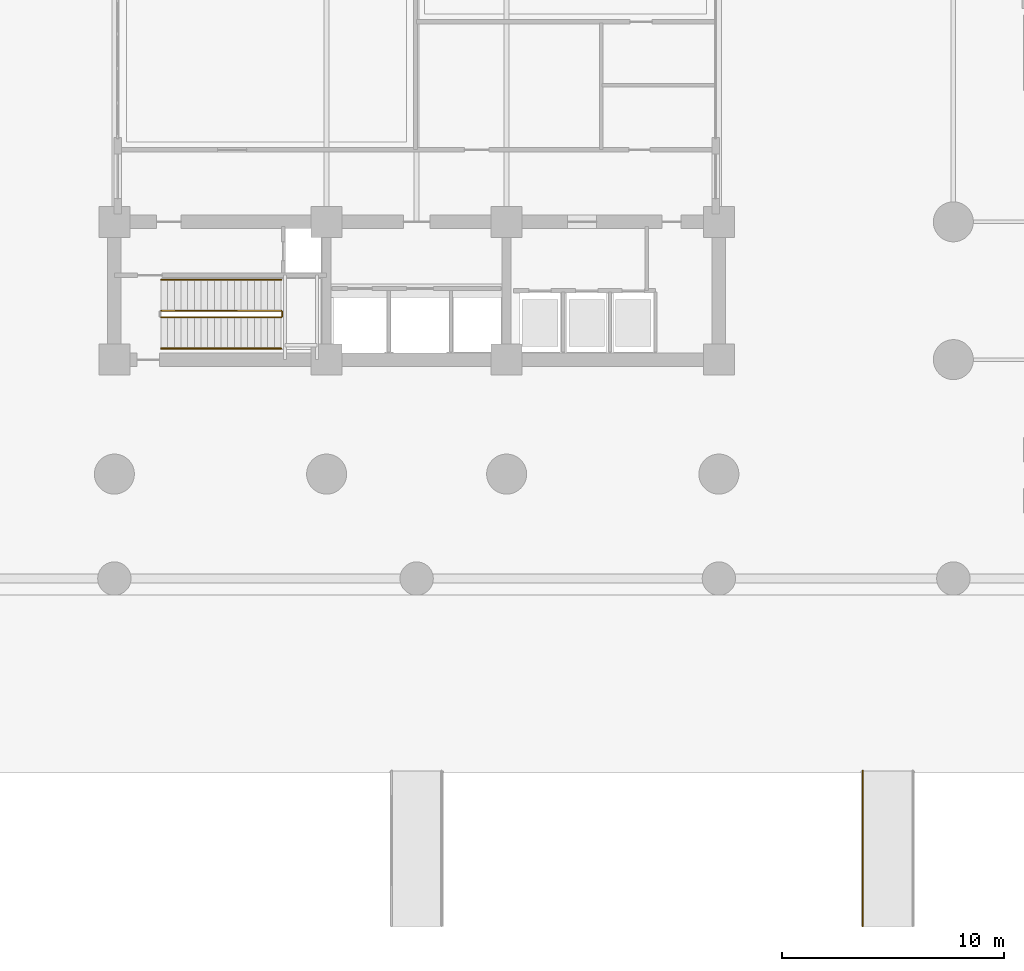
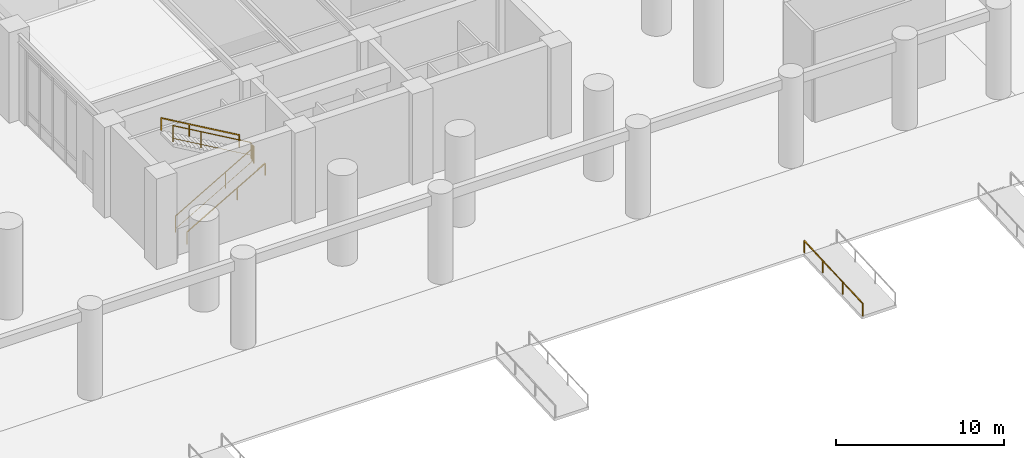
# One storey, part 12 of 16: 6 railings.
"""IFC4 building model written with IfcOpenShell, lengths in metres."""

from ifc_helpers import new_model, si_unit, direction, frame, origin, origin_2d, place, context, subcontext, project, spatial, rectangle, extrude, material, type_object, element, save


model = new_model("IFC4")

# Units and contexts
model_context = context("Model", 3, precision=1e-05, world=origin(), true_north=direction((0.0, 1.0)))
body_context = subcontext(model_context, "Body", "Model", "MODEL_VIEW")
ifc_project = project(units=[si_unit("LENGTHUNIT", "METRE"), si_unit("AREAUNIT", "SQUARE_METRE"), si_unit("VOLUMEUNIT", "CUBIC_METRE"), si_unit("PLANEANGLEUNIT", "RADIAN"), si_unit("MASSUNIT", "GRAM", prefix="KILO")], contexts=[model_context])

# Site, building, storey
site_placement = place(None, origin())
site = spatial("IfcSite", under=ifc_project, at=site_placement, CompositionType="ELEMENT")
building_placement = place(site_placement, origin())
building = spatial("IfcBuilding", under=site, at=building_placement, Name="Svetorya Sky Lyceum", CompositionType="ELEMENT")
storey_placement = place(building_placement, origin())
storey = spatial("IfcBuildingStorey", under=building, at=storey_placement, Name="L00", CompositionType="ELEMENT", Elevation=0.0)

# Railings
ifc_material_1 = material(Name="Brushed stainless AISI 304")
railing_type_1 = type_object("IfcRailingType", Name="RL-PED-900", PredefinedType="HANDRAIL", material=ifc_material_1)
railing_1_placement = place(storey_placement, frame((59.280029296875, -14.89990234375, -0.35009765625)))
element("IfcRailing", 1, at=railing_1_placement, inside=storey, type_object=railing_type_1, Name="Approach Ramp PR-4 Handrail W", PredefinedType="HANDRAIL", context=body_context, shape_type="SweptSolid", body=[
    extrude(rectangle(XDim=0.048095703125, YDim=0.048095703125, at=origin_2d()), frame((0.0, 0.0, 0.8759765625), z_axis=(0.0, 0.998751643845, 0.049951515669), x_axis=(-1.0, 0.0, 0.0)), (0.0, 0.0, 1.0), 7.0087890625),
    extrude(rectangle(XDim=0.0419921875, YDim=0.0419921875, at=origin_2d()), origin(), (0.0, 0.0, 1.0), 0.851806640625),
    extrude(rectangle(XDim=0.0419921875, YDim=0.0419921875, at=origin_2d()), frame((0.0, 2.39697265625, 0.119873046875)), (0.0, 0.0, 1.0), 0.851806640625),
    extrude(rectangle(XDim=0.0419921875, YDim=0.0419921875, at=origin_2d()), frame((0.0, 4.7939453125, 0.23974609375)), (0.0, 0.0, 1.0), 0.851806640625),
    extrude(rectangle(XDim=0.0419921875, YDim=0.0419921875, at=origin_2d()), frame((0.0, 7.0, 0.35009765625)), (0.0, 0.0, 1.0), 0.851806640625),
])
ifc_material_2 = material(Name="Painted galvanized stair well guard")
railing_type_2 = type_object("IfcRailingType", Name="RL-STR-GUARD-1200", PredefinedType="GUARDRAIL", material=ifc_material_2)
railing_2_placement = place(storey_placement, frame((27.699951171875, 12.5, 0.173583984375)))
element("IfcRailing", 2, at=railing_2_placement, inside=storey, type_object=railing_type_2, Name="L00 ST-S stair guard 1", PredefinedType="GUARDRAIL", context=body_context, shape_type="SweptSolid", body=[
    extrude(rectangle(XDim=0.048095703125, YDim=0.048095703125, at=origin_2d()), frame((0.0, 0.0, 1.17578125), z_axis=(0.865421820894, 0.0, 0.501043982023), x_axis=(0.0, 1.0, 0.0)), (0.0, 0.0, 1.0), 6.239990234375),
    extrude(rectangle(XDim=0.02392578125, YDim=0.02392578125, at=origin_2d()), frame((0.0, 0.0, 0.25), z_axis=(0.865421820894, 0.0, 0.501043982023), x_axis=(0.0, 1.0, 0.0)), (0.0, 0.0, 1.0), 6.239990234375),
    extrude(rectangle(XDim=0.0419921875, YDim=0.0419921875, at=origin_2d()), origin(), (0.0, 0.0, 1.0), 1.15185546875),
    extrude(rectangle(XDim=0.0419921875, YDim=0.0419921875, at=origin_2d()), frame((3.461669921875, 0.0, 2.004150390625)), (0.0, 0.0, 1.0), 1.15185546875),
    extrude(rectangle(XDim=0.0419921875, YDim=0.0419921875, at=origin_2d()), frame((5.400146484375, 0.0, 3.12646484375)), (0.0, 0.0, 1.0), 1.15185546875),
])
railing_3_placement = place(storey_placement, frame((33.14990234375, 12.550048828125, 3.300048828125)))
element("IfcRailing", 3, at=railing_3_placement, inside=storey, type_object=railing_type_2, Name="L00 ST-S stair guard 2", PredefinedType="GUARDRAIL", context=body_context, shape_type="SweptSolid", body=[
    extrude(rectangle(XDim=0.048095703125, YDim=0.048095703125, at=origin_2d()), frame((0.0, 0.0, 1.17578125), z_axis=(0.0, 1.0, 0.0), x_axis=(-1.0, 0.0, 0.0)), (0.0, 0.0, 1.0), 0.199951171875),
    extrude(rectangle(XDim=0.02392578125, YDim=0.02392578125, at=origin_2d()), frame((0.0, 0.0, 0.25), z_axis=(0.0, 1.0, 0.0), x_axis=(-1.0, 0.0, 0.0)), (0.0, 0.0, 1.0), 0.199951171875),
    extrude(rectangle(XDim=0.0419921875, YDim=0.0419921875, at=origin_2d()), origin(), (0.0, 0.0, 1.0), 1.15185546875),
    extrude(rectangle(XDim=0.0419921875, YDim=0.0419921875, at=origin_2d()), frame((0.0, 0.199951171875, 0.0)), (0.0, 0.0, 1.0), 1.15185546875),
])
railing_4_placement = place(storey_placement, frame((33.10009765625, 12.800048828125, 3.4736328125)))
element("IfcRailing", 4, at=railing_4_placement, inside=storey, type_object=railing_type_2, Name="L00 ST-S stair guard 3", PredefinedType="GUARDRAIL", context=body_context, shape_type="SweptSolid", body=[
    extrude(rectangle(XDim=0.048095703125, YDim=0.048095703125, at=origin_2d()), frame((0.0, 0.0, 1.17578125), z_axis=(-0.865421820894, 0.0, 0.501043982023), x_axis=(0.0, -1.0, 0.0)), (0.0, 0.0, 1.0), 6.239990234375),
    extrude(rectangle(XDim=0.02392578125, YDim=0.02392578125, at=origin_2d()), frame((0.0, 0.0, 0.25), z_axis=(-0.865421820894, 0.0, 0.501043982023), x_axis=(0.0, -1.0, 0.0)), (0.0, 0.0, 1.0), 6.239990234375),
    extrude(rectangle(XDim=0.0419921875, YDim=0.0419921875, at=origin_2d()), origin(), (0.0, 0.0, 1.0), 1.15185546875),
    extrude(rectangle(XDim=0.0419921875, YDim=0.0419921875, at=origin_2d()), frame((-3.461669921875, 0.0, 2.004150390625)), (0.0, 0.0, 1.0), 1.15185546875),
    extrude(rectangle(XDim=0.0419921875, YDim=0.0419921875, at=origin_2d()), frame((-5.400146484375, 0.0, 3.12646484375)), (0.0, 0.0, 1.0), 1.15185546875),
])
ifc_material_3 = material(Name="Brushed stainless AISI 304 stair handrail")
railing_type_3 = type_object("IfcRailingType", Name="RL-STR-HAND-920", PredefinedType="HANDRAIL", material=ifc_material_3)
railing_5_placement = place(storey_placement, frame((27.699951171875, 11.10009765625, 0.173583984375)))
element("IfcRailing", 5, at=railing_5_placement, inside=storey, type_object=railing_type_3, Name="L00 ST-S stair handrail 1", PredefinedType="HANDRAIL", context=body_context, shape_type="SweptSolid", body=[
    extrude(rectangle(XDim=0.048095703125, YDim=0.048095703125, at=origin_2d()), frame((0.0, 0.0, 0.8759765625), z_axis=(0.865421820894, 0.0, 0.501043982023), x_axis=(0.0, 1.0, 0.0)), (0.0, 0.0, 1.0), 6.239990234375),
    extrude(rectangle(XDim=0.0419921875, YDim=0.0419921875, at=origin_2d()), origin(), (0.0, 0.0, 1.0), 0.851806640625),
    extrude(rectangle(XDim=0.0419921875, YDim=0.0419921875, at=origin_2d()), frame((3.461669921875, 0.0, 2.004150390625)), (0.0, 0.0, 1.0), 0.851806640625),
    extrude(rectangle(XDim=0.0419921875, YDim=0.0419921875, at=origin_2d()), frame((5.400146484375, 0.0, 3.12646484375)), (0.0, 0.0, 1.0), 0.851806640625),
])
railing_6_placement = place(storey_placement, frame((33.10009765625, 14.199951171875, 3.4736328125)))
element("IfcRailing", 6, at=railing_6_placement, inside=storey, type_object=railing_type_3, Name="L00 ST-S stair handrail 2", PredefinedType="HANDRAIL", context=body_context, shape_type="SweptSolid", body=[
    extrude(rectangle(XDim=0.048095703125, YDim=0.048095703125, at=origin_2d()), frame((0.0, 0.0, 0.8759765625), z_axis=(-0.865421820894, 0.0, 0.501043982023), x_axis=(0.0, -1.0, 0.0)), (0.0, 0.0, 1.0), 6.239990234375),
    extrude(rectangle(XDim=0.0419921875, YDim=0.0419921875, at=origin_2d()), origin(), (0.0, 0.0, 1.0), 0.851806640625),
    extrude(rectangle(XDim=0.0419921875, YDim=0.0419921875, at=origin_2d()), frame((-3.461669921875, 0.0, 2.004150390625)), (0.0, 0.0, 1.0), 0.851806640625),
    extrude(rectangle(XDim=0.0419921875, YDim=0.0419921875, at=origin_2d()), frame((-5.400146484375, 0.0, 3.12646484375)), (0.0, 0.0, 1.0), 0.851806640625),
])

save(model, "model.ifc")
